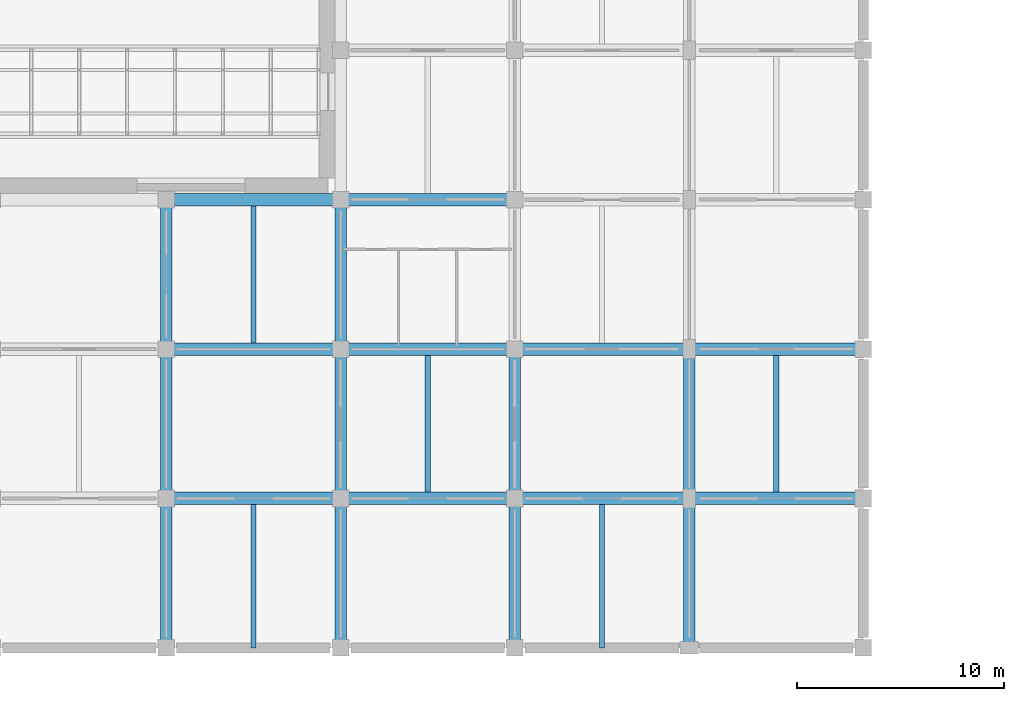
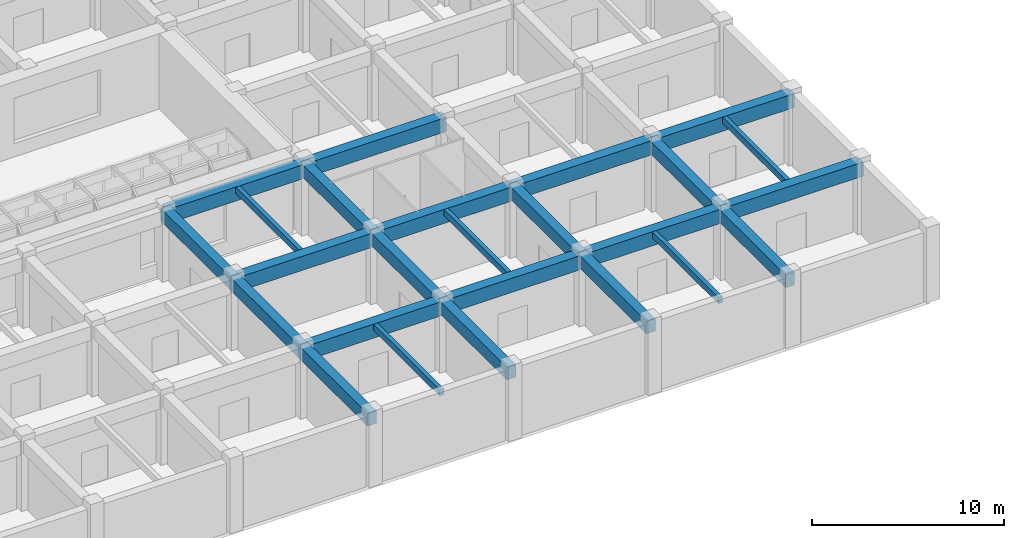
# One storey, part 9 of 32: 25 beams.
"""IFC4 building model written with IfcOpenShell, lengths in metres."""

import ifcopenshell
import ifcopenshell.guid

model = None  # the IFC model being written
_history = None  # IfcOwnerHistory: only IFC2X3 demands one
_inside = {}  # id of a spatial element -> (the spatial element, [elements in it])
_under = {}  # id of a project, library or spatial element -> (it, [spatial elements below it])
_declared = {}  # id of a project -> (the project, [libraries it declares])
_typed = {}  # id of a type object -> (the type object, [elements of that type])
_made_of = {}  # id of a material, layer set ... -> (it, [elements and type objects made of it])


def new_model(schema):
    """Start an empty IFC model of exactly this schema.

    Asked for "IFC4X3", IfcOpenShell would pick the latest addendum, in which some entities
    have other attributes; the version numbers below select the first issue.
    IFC2X3 requires an IfcOwnerHistory on every rooted entity: one is made here for all.
    """
    global model, _history
    if schema == "IFC4X3":
        model = ifcopenshell.file(schema_version=(4, 3, 0, 0))
    else:
        model = ifcopenshell.file(schema=schema)
    _inside.clear()
    _under.clear()
    _declared.clear()
    _typed.clear()
    _made_of.clear()
    _history = None
    if model.schema == "IFC2X3":
        org = make("IfcOrganization", Name="unknown")
        user = make(
            "IfcPersonAndOrganization",
            ThePerson=make("IfcPerson", FamilyName="unknown"),
            TheOrganization=org,
        )
        app = make(
            "IfcApplication",
            ApplicationDeveloper=org,
            Version="unknown",
            ApplicationFullName="unknown",
            ApplicationIdentifier="unknown",
        )
        _history = make(
            "IfcOwnerHistory",
            OwningUser=user,
            OwningApplication=app,
            ChangeAction="ADDED",
            CreationDate=0,
        )
    return model


def make(cls, **values):
    """One entity of the class cls with the attributes given. An attribute that is None is left unset."""
    return model.create_entity(
        cls, **{name: value for name, value in values.items() if value is not None}
    )


def rooted(cls, **values):
    """An entity with a GlobalId (a new one), such as an element, a storey or a relation."""
    return make(cls, GlobalId=ifcopenshell.guid.new(), OwnerHistory=_history, **values)


def si_unit(unit_type, name, prefix=None):
    """IfcSIUnit, for example si_unit("LENGTHUNIT", "METRE", prefix="MILLI")."""
    return make("IfcSIUnit", UnitType=unit_type, Prefix=prefix, Name=name)


def derived_unit(unit_type, elements):
    """IfcDerivedUnit: a product of units, each with its exponent."""
    return make(
        "IfcDerivedUnit",
        Elements=[
            make("IfcDerivedUnitElement", Unit=unit, Exponent=power)
            for unit, power in elements
        ],
        UnitType=unit_type,
    )


def assignment(units):
    """IfcUnitAssignment: the units of a project."""
    return None if units is None else make("IfcUnitAssignment", Units=units)


def point(xyz):
    """IfcCartesianPoint."""
    return None if xyz is None else make("IfcCartesianPoint", Coordinates=xyz)


def direction(xyz):
    """IfcDirection."""
    return None if xyz is None else make("IfcDirection", DirectionRatios=xyz)


def frame(location, z_axis=None, x_axis=None):
    """IfcAxis2Placement3D, a coordinate frame: its origin and axes. An axis left out is left unset."""
    return make(
        "IfcAxis2Placement3D",
        Location=point(location),
        Axis=direction(z_axis),
        RefDirection=direction(x_axis),
    )


def frame_2d(location, x_axis=None):
    """IfcAxis2Placement2D, a coordinate frame in the plane: its origin and x axis."""
    return make(
        "IfcAxis2Placement2D", Location=point(location), RefDirection=direction(x_axis)
    )


def origin():
    """The frame at (0, 0, 0) with its axes left unset."""
    return frame((0.0, 0.0, 0.0))


def origin_2d():
    """The frame at (0, 0) in the plane with its x axis left unset."""
    return frame_2d((0.0, 0.0))


def place(relative_to, where):
    """IfcLocalPlacement: puts the frame where relative to a parent placement (None: the world)."""
    return make(
        "IfcLocalPlacement", PlacementRelTo=relative_to, RelativePlacement=where
    )


def context(
    kind, dimensions, precision=None, world=None, true_north=None, identifier=None
):
    """IfcGeometricRepresentationContext, for example the 3D "Model" context."""
    return make(
        "IfcGeometricRepresentationContext",
        ContextIdentifier=identifier,
        ContextType=kind,
        CoordinateSpaceDimension=dimensions,
        Precision=precision,
        WorldCoordinateSystem=world,
        TrueNorth=true_north,
    )


def subcontext(parent, identifier, kind, view, scale=None):
    """IfcGeometricRepresentationSubContext, for example "Body" below "Model"."""
    return make(
        "IfcGeometricRepresentationSubContext",
        ContextIdentifier=identifier,
        ContextType=kind,
        ParentContext=parent,
        TargetScale=scale,
        TargetView=view,
    )


def project(units=None, contexts=None):
    """IfcProject with its units and contexts."""
    return rooted(
        "IfcProject",
        Name="project",
        RepresentationContexts=contexts,
        UnitsInContext=assignment(units),
    )


def spatial(cls, under=None, at=None, **own):
    """A site, building, storey or space (cls), placed at a placement, below another one or the project."""
    s = rooted(cls, ObjectPlacement=at, **own)
    if under is not None:
        _under.setdefault(under.id(), (under, []))[1].append(s)
    return s


def profile(cls, at=None, kind="AREA", **sizes):
    """A parametric profile (cls). Its sizes go by their IFC names, for example OverallWidth=200.0."""
    return make(cls, ProfileType=kind, Position=at, **sizes)


def rectangle(**sizes):
    """IfcRectangleProfileDef."""
    return profile("IfcRectangleProfileDef", **sizes)


def extrude(swept, where, along, depth):
    """IfcExtrudedAreaSolid: the profile swept, set in the frame where, extruded along a direction by depth."""
    return make(
        "IfcExtrudedAreaSolid",
        SweptArea=swept,
        Position=where,
        ExtrudedDirection=direction(along),
        Depth=depth,
    )


def shape(context_of_items, identifier, shape_type, items):
    """IfcShapeRepresentation: the items that make up one representation, for example the "Body"."""
    return make(
        "IfcShapeRepresentation",
        ContextOfItems=context_of_items,
        RepresentationIdentifier=identifier,
        RepresentationType=shape_type,
        Items=items,
    )


def material(Name=None, Category=None):
    """IfcMaterial."""
    return make("IfcMaterial", Name=Name, Category=Category)


def material_profile(
    of_material, cross_section, Name=None, Category=None, Priority=None
):
    """IfcMaterialProfile: a cross section and its material."""
    return make(
        "IfcMaterialProfile",
        Name=Name,
        Material=of_material,
        Profile=cross_section,
        Priority=Priority,
        Category=Category,
    )


def profile_set(profiles, Name=None, composite=None):
    """IfcMaterialProfileSet."""
    return make(
        "IfcMaterialProfileSet",
        Name=Name,
        MaterialProfiles=profiles,
        CompositeProfile=composite,
    )


def made_of(thing, what):
    """Note that an element or type object is made of a material, layer set ...; save() writes the relation."""
    if what is not None:
        _made_of.setdefault(what.id(), (what, []))[1].append(thing)
    return thing


def type_object(cls, material=None, **own):
    """A type object (cls), such as IfcWallType, which elements share."""
    return made_of(rooted(cls, **own), material)


def element(
    cls,
    number,
    at=None,
    inside=None,
    cuts=None,
    type_object=None,
    material=None,
    context=None,
    identifier="Body",
    shape_type=None,
    held_by="IfcProductDefinitionShape",
    body=None,
    shapes=None,
    **own,
):
    """One element of the class cls, such as IfcWall. Its Tag is "e" and its number.

    at: its placement. inside: the storey or other place that contains it. cuts: it is an
    opening in that element (IfcRelVoidsElement). A single representation is given by context,
    identifier, shape_type and body (its items); several are given by shapes. held_by: the class
    of the entity that holds the representations. save() writes the other relations.
    """
    e = rooted(cls, Tag="e%d" % number, ObjectPlacement=at, **own)
    if body is not None:
        shapes = [shape(context, identifier, shape_type, body)]
    if shapes is not None:
        e.Representation = make(held_by, Representations=shapes)
    if inside is not None:
        _inside.setdefault(inside.id(), (inside, []))[1].append(e)
    if cuts is not None:
        rooted(
            "IfcRelVoidsElement", RelatingBuildingElement=cuts, RelatedOpeningElement=e
        )
    if type_object is not None:
        _typed.setdefault(type_object.id(), (type_object, []))[1].append(e)
    return made_of(e, material)


def aggregate(whole, parts):
    """IfcRelAggregates: a whole, such as a stair, and the parts it consists of."""
    return rooted("IfcRelAggregates", RelatingObject=whole, RelatedObjects=parts)


def save(model, path):
    """Write the relations noted so far, then the file.

    IfcRelAggregates (storeys below a building ...), IfcRelContainedInSpatialStructure (elements
    in a storey), IfcRelDefinesByType, IfcRelAssociatesMaterial and IfcRelDeclares: one each for
    every whole, place, type object, material and project.
    """
    for whole, parts in _under.values():
        aggregate(whole, parts)
    for where, things in _inside.values():
        rooted(
            "IfcRelContainedInSpatialStructure",
            RelatedElements=things,
            RelatingStructure=where,
        )
    for kind, things in _typed.values():
        rooted("IfcRelDefinesByType", RelatedObjects=things, RelatingType=kind)
    for what, things in _made_of.values():
        rooted("IfcRelAssociatesMaterial", RelatedObjects=things, RelatingMaterial=what)
    for by, libraries in _declared.values():
        rooted("IfcRelDeclares", RelatingContext=by, RelatedDefinitions=libraries)
    model.write(path)


model = new_model("IFC4")

# Units and contexts
model_context = context("Model", 3, precision=1e-05, world=origin(), true_north=direction((0.0, 1.0)))
body_context = subcontext(model_context, "Body", "Model", "MODEL_VIEW")
ifc_project = project(units=[si_unit("LENGTHUNIT", "METRE"), si_unit("AREAUNIT", "SQUARE_METRE"), si_unit("VOLUMEUNIT", "CUBIC_METRE"), si_unit("PLANEANGLEUNIT", "RADIAN"), si_unit("MASSUNIT", "GRAM", prefix="KILO"), derived_unit("THERMALTRANSMITTANCEUNIT", [(si_unit("MASSUNIT", "GRAM", prefix="KILO"), 1), (si_unit("TIMEUNIT", "SECOND"), -3), (si_unit("THERMODYNAMICTEMPERATUREUNIT", "KELVIN"), -1)])], contexts=[model_context])

# Site, building, storey
site_placement = place(None, origin())
site = spatial("IfcSite", under=ifc_project, at=site_placement, CompositionType="ELEMENT")
building_placement = place(site_placement, origin())
building = spatial("IfcBuilding", under=site, at=building_placement, Name="Veldstrom Oceanarium and Marine Research Institute", CompositionType="ELEMENT")
storey_placement = place(building_placement, frame((0.0, 0.0, -4.800048828125)))
storey = spatial("IfcBuildingStorey", under=building, at=storey_placement, Name="B01", CompositionType="ELEMENT", Elevation=-4.800048828125)

# Beams
ifc_material_1 = material(Name="Concrete C40/50", Category="concrete")
ifc_material_profile_1 = material_profile(ifc_material_1, rectangle(XDim=0.60009765625, YDim=0.89990234375, at=origin_2d()), Name="RC-BM-600x900")
ifc_profile_set_1 = profile_set([ifc_material_profile_1], Name="Concrete C40/50")
beam_type_1 = type_object("IfcBeamType", Name="STR-BM-B01", PredefinedType="BEAM", material=ifc_profile_set_1)
for number, where, z_axis, x_axis, name in (
    (1, (33.60009765625, 7.199951171875, 3.9951171875), (1.0, 0.0, 0.0), (0.0, 1.0, 0.0), "Primary Beam B01 B01-0395"),
    (2, (33.60009765625, 14.39990234375, 3.9951171875), (1.0, 0.0, 0.0), (0.0, 1.0, 0.0), "Primary Beam B01 B01-0396"),
    (3, (33.60009765625, 21.60009765625, 3.9951171875), (1.0, 0.0, 0.0), (0.0, 1.0, 0.0), "Primary Beam B01 B01-0397"),
    (4, (42.0, 7.199951171875, 3.9951171875), (1.0, 0.0, 0.0), (0.0, 1.0, 0.0), "Primary Beam B01 B01-0403"),
    (5, (42.0, 14.39990234375, 3.9951171875), (1.0, 0.0, 0.0), (0.0, 1.0, 0.0), "Primary Beam B01 B01-0404"),
    (6, (42.0, 21.60009765625, 3.9951171875), (1.0, 0.0, 0.0), (0.0, 1.0, 0.0), "Primary Beam B01 B01-0405"),
):
    element("IfcBeam", number, at=place(storey_placement, frame(where, z_axis=z_axis, x_axis=x_axis)), inside=storey, type_object=beam_type_1, Name=name, PredefinedType="BEAM", context=body_context, shape_type="SweptSolid", body=[
        extrude(rectangle(XDim=0.60009765625, YDim=0.89990234375, at=origin_2d()), origin(), (0.0, 0.0, 1.0), 8.39990234375),
    ])
for number, where, z_axis, x_axis, name in (
    (7, (50.39990234375, 7.199951171875, 3.9951171875), (1.0, 0.0, 0.0), (0.0, 1.0, 0.0), "Primary Beam B01 B01-0412"),
    (8, (50.39990234375, 14.39990234375, 3.9951171875), (1.0, 0.0, 0.0), (0.0, 1.0, 0.0), "Primary Beam B01 B01-0413"),
):
    element("IfcBeam", number, at=place(storey_placement, frame(where, z_axis=z_axis, x_axis=x_axis)), inside=storey, type_object=beam_type_1, Name=name, PredefinedType="BEAM", context=body_context, shape_type="SweptSolid", body=[
        extrude(rectangle(XDim=0.60009765625, YDim=0.89990234375, at=origin_2d()), origin(), (0.0, 0.0, 1.0), 8.400146484375),
    ])
for number, where, z_axis, x_axis, name in (
    (9, (58.800048828125, 7.199951171875, 3.9951171875), (1.0, 0.0, 0.0), (0.0, 1.0, 0.0), "Primary Beam B01 B01-0421"),
    (10, (58.800048828125, 14.39990234375, 3.9951171875), (1.0, 0.0, 0.0), (0.0, 1.0, 0.0), "Primary Beam B01 B01-0422"),
):
    element("IfcBeam", number, at=place(storey_placement, frame(where, z_axis=z_axis, x_axis=x_axis)), inside=storey, type_object=beam_type_1, Name=name, PredefinedType="BEAM", context=body_context, shape_type="SweptSolid", body=[
        extrude(rectangle(XDim=0.60009765625, YDim=0.89990234375, at=origin_2d()), origin(), (0.0, 0.0, 1.0), 8.39990234375),
    ])
ifc_material_2 = material(Name="Concrete C40/50", Category="concrete")
ifc_material_profile_2 = material_profile(ifc_material_2, rectangle(XDim=0.550048828125, YDim=0.800048828125, at=origin_2d()), Name="RC-BM-550x800")
ifc_profile_set_2 = profile_set([ifc_material_profile_2], Name="Concrete C40/50")
beam_type_2 = type_object("IfcBeamType", Name="STR-BM-B02", PredefinedType="BEAM", material=ifc_profile_set_2)
for number, where, z_axis, x_axis, name in (
    (11, (33.60009765625, 0.0, 4.045166015625), (0.0, 1.0, 0.0), (-1.0, 0.0, 0.0), "Primary Beam B02 B01-0529"),
    (12, (33.60009765625, 7.199951171875, 4.045166015625), (0.0, 1.0, 0.0), (-1.0, 0.0, 0.0), "Primary Beam B02 B01-0530"),
):
    element("IfcBeam", number, at=place(storey_placement, frame(where, z_axis=z_axis, x_axis=x_axis)), inside=storey, type_object=beam_type_2, Name=name, PredefinedType="BEAM", context=body_context, shape_type="SweptSolid", body=[
        extrude(rectangle(XDim=0.550048828125, YDim=0.800048828125, at=origin_2d()), origin(), (0.0, 0.0, 1.0), 7.199951171875),
    ])
beam_1_placement = place(storey_placement, frame((33.60009765625, 14.39990234375, 4.045166015625), z_axis=(0.0, 1.0, 0.0), x_axis=(-1.0, 0.0, 0.0)))
element("IfcBeam", 13, at=beam_1_placement, inside=storey, type_object=beam_type_2, Name="Primary Beam B02 B01-0531", PredefinedType="BEAM", context=body_context, shape_type="SweptSolid", body=[
    extrude(rectangle(XDim=0.550048828125, YDim=0.800048828125, at=origin_2d()), origin(), (0.0, 0.0, 1.0), 7.2001953125),
])
for number, where, z_axis, x_axis, name in (
    (14, (42.0, 0.0, 4.045166015625), (0.0, 1.0, 0.0), (-1.0, 0.0, 0.0), "Primary Beam B02 B01-0537"),
    (15, (42.0, 7.199951171875, 4.045166015625), (0.0, 1.0, 0.0), (-1.0, 0.0, 0.0), "Primary Beam B02 B01-0538"),
):
    element("IfcBeam", number, at=place(storey_placement, frame(where, z_axis=z_axis, x_axis=x_axis)), inside=storey, type_object=beam_type_2, Name=name, PredefinedType="BEAM", context=body_context, shape_type="SweptSolid", body=[
        extrude(rectangle(XDim=0.550048828125, YDim=0.800048828125, at=origin_2d()), origin(), (0.0, 0.0, 1.0), 7.199951171875),
    ])
beam_2_placement = place(storey_placement, frame((42.0, 14.39990234375, 4.045166015625), z_axis=(0.0, 1.0, 0.0), x_axis=(-1.0, 0.0, 0.0)))
element("IfcBeam", 16, at=beam_2_placement, inside=storey, type_object=beam_type_2, Name="Primary Beam B02 B01-0539", PredefinedType="BEAM", context=body_context, shape_type="SweptSolid", body=[
    extrude(rectangle(XDim=0.550048828125, YDim=0.800048828125, at=origin_2d()), origin(), (0.0, 0.0, 1.0), 7.2001953125),
])
for number, where, z_axis, x_axis, name in (
    (17, (50.39990234375, 0.0, 4.045166015625), (0.0, 1.0, 0.0), (-1.0, 0.0, 0.0), "Primary Beam B02 B01-0547"),
    (18, (50.39990234375, 7.199951171875, 4.045166015625), (0.0, 1.0, 0.0), (-1.0, 0.0, 0.0), "Primary Beam B02 B01-0548"),
    (19, (58.800048828125, 0.0, 4.045166015625), (0.0, 1.0, 0.0), (-1.0, 0.0, 0.0), "Primary Beam B02 B01-0557"),
    (20, (58.800048828125, 7.199951171875, 4.045166015625), (0.0, 1.0, 0.0), (-1.0, 0.0, 0.0), "Primary Beam B02 B01-0558"),
):
    element("IfcBeam", number, at=place(storey_placement, frame(where, z_axis=z_axis, x_axis=x_axis)), inside=storey, type_object=beam_type_2, Name=name, PredefinedType="BEAM", context=body_context, shape_type="SweptSolid", body=[
        extrude(rectangle(XDim=0.550048828125, YDim=0.800048828125, at=origin_2d()), origin(), (0.0, 0.0, 1.0), 7.199951171875),
    ])
ifc_material_3 = material(Name="Concrete C40/50", Category="concrete")
ifc_material_profile_3 = material_profile(ifc_material_3, rectangle(XDim=0.25, YDim=0.39990234375, at=origin_2d()), Name="RC-JST-250x400")
ifc_profile_set_3 = profile_set([ifc_material_profile_3], Name="Concrete C40/50")
beam_type_3 = type_object("IfcBeamType", Name="STR-JST-J02", PredefinedType="JOIST", material=ifc_profile_set_3)
beam_3_placement = place(storey_placement, frame((37.800048828125, 0.0, 4.2451171875), z_axis=(0.0, 1.0, 0.0), x_axis=(-1.0, 0.0, 0.0)))
element("IfcBeam", 21, at=beam_3_placement, inside=storey, type_object=beam_type_3, Name="Secondary Joist J02 B01-0661", PredefinedType="JOIST", context=body_context, shape_type="SweptSolid", body=[
    extrude(rectangle(XDim=0.25, YDim=0.39990234375, at=origin_2d()), origin(), (0.0, 0.0, 1.0), 6.89990234375),
])
for number, where, z_axis, x_axis, name in (
    (22, (37.800048828125, 14.699951171875, 4.2451171875), (0.0, 1.0, 0.0), (-1.0, 0.0, 0.0), "Secondary Joist J02 B01-0662"),
    (23, (46.199951171875, 7.5, 4.2451171875), (0.0, 1.0, 0.0), (-1.0, 0.0, 0.0), "Secondary Joist J02 B01-0665"),
):
    element("IfcBeam", number, at=place(storey_placement, frame(where, z_axis=z_axis, x_axis=x_axis)), inside=storey, type_object=beam_type_3, Name=name, PredefinedType="JOIST", context=body_context, shape_type="SweptSolid", body=[
        extrude(rectangle(XDim=0.25, YDim=0.39990234375, at=origin_2d()), origin(), (0.0, 0.0, 1.0), 6.60009765625),
    ])
beam_4_placement = place(storey_placement, frame((54.60009765625, 0.0, 4.2451171875), z_axis=(0.0, 1.0, 0.0), x_axis=(-1.0, 0.0, 0.0)))
element("IfcBeam", 24, at=beam_4_placement, inside=storey, type_object=beam_type_3, Name="Secondary Joist J02 B01-0669", PredefinedType="JOIST", context=body_context, shape_type="SweptSolid", body=[
    extrude(rectangle(XDim=0.25, YDim=0.39990234375, at=origin_2d()), origin(), (0.0, 0.0, 1.0), 6.89990234375),
])
beam_5_placement = place(storey_placement, frame((63.0, 7.5, 4.2451171875), z_axis=(0.0, 1.0, 0.0), x_axis=(-1.0, 0.0, 0.0)))
element("IfcBeam", 25, at=beam_5_placement, inside=storey, type_object=beam_type_3, Name="Secondary Joist J02 B01-0674", PredefinedType="JOIST", context=body_context, shape_type="SweptSolid", body=[
    extrude(rectangle(XDim=0.25, YDim=0.39990234375, at=origin_2d()), origin(), (0.0, 0.0, 1.0), 6.60009765625),
])

save(model, "model.ifc")
